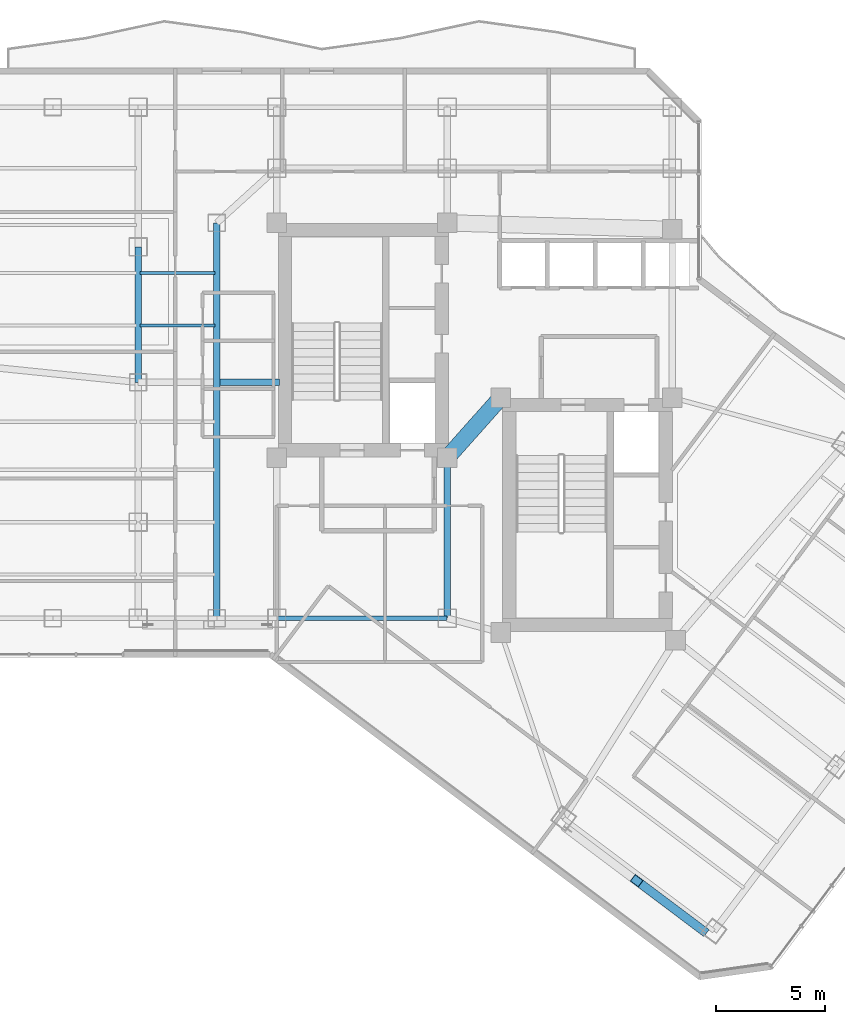
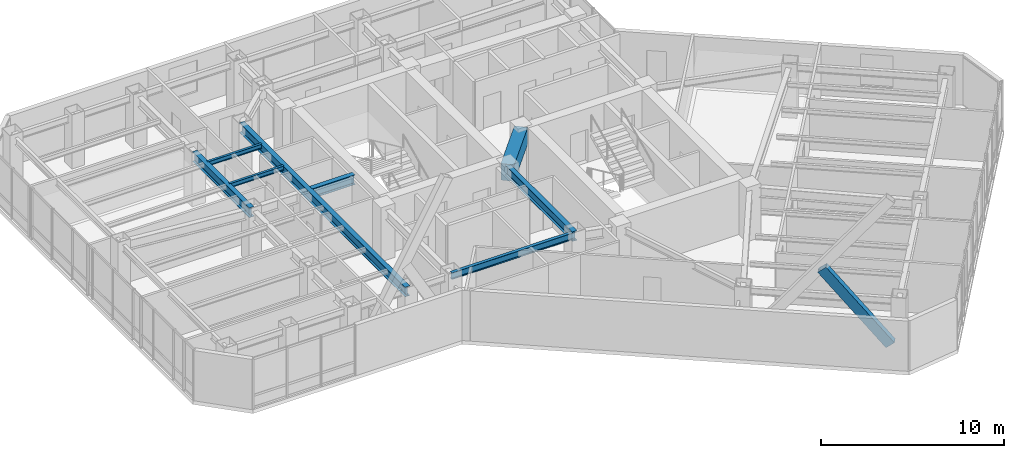
# One storey, part 9 of 27: 8 beams, 1 member.
"""IFC4 building model written with IfcOpenShell, lengths in metres."""

from ifc_helpers import new_model, si_unit, direction, frame, origin, origin_2d, place, context, subcontext, project, spatial, rectangle, hollow_rectangle, i_section, extrude, material, material_profile, profile_set, type_object, element, save


model = new_model("IFC4")

# Units and contexts
model_context = context("Model", 3, precision=1e-05, world=origin(), true_north=direction((0.0, 1.0)))
body_context = subcontext(model_context, "Body", "Model", "MODEL_VIEW")
ifc_project = project(units=[si_unit("LENGTHUNIT", "METRE"), si_unit("AREAUNIT", "SQUARE_METRE"), si_unit("VOLUMEUNIT", "CUBIC_METRE"), si_unit("PLANEANGLEUNIT", "RADIAN"), si_unit("MASSUNIT", "GRAM", prefix="KILO")], contexts=[model_context])

# Site, building, storey
site_placement = place(None, origin())
site = spatial("IfcSite", under=ifc_project, at=site_placement, CompositionType="ELEMENT")
building_placement = place(site_placement, origin())
building = spatial("IfcBuilding", under=site, at=building_placement, Name="Hatsunagi Terrace Concourse", CompositionType="ELEMENT")
storey_placement = place(building_placement, frame((0.0, 0.0, 145.64990234375)))
storey = spatial("IfcBuildingStorey", under=building, at=storey_placement, Name="L38", CompositionType="ELEMENT", Elevation=145.64990234375)

# Beams
ifc_material_1 = material(Name="Concrete Fc48", Category="concrete")
ifc_material_profile_1 = material_profile(ifc_material_1, rectangle(XDim=0.75, YDim=1.10009765625, at=origin_2d()), Name="RC-750x1100")
ifc_profile_set_1 = profile_set([ifc_material_profile_1], Name="Concrete Fc48")
beam_type_1 = type_object("IfcBeamType", Name="CoreCouplingBeam_RC_750x1100", PredefinedType="BEAM", material=ifc_profile_set_1)
beam_1_placement = place(storey_placement, frame((33.35009765625, 32.550048828125, 2.800048828125), z_axis=(0.665198651008, 0.746666427997, 0.0), x_axis=(-0.746666427997, 0.665198651008, 0.0)))
element("IfcBeam", 1, at=beam_1_placement, inside=storey, type_object=beam_type_1, Name="Beam CB-02 CB-L38-1", PredefinedType="BEAM", context=body_context, shape_type="SweptSolid", body=[
    extrude(rectangle(XDim=0.75, YDim=1.10009765625, at=origin_2d()), origin(), (0.0, 0.0, 1.0), 3.68310546875),
])
ifc_material_2 = material(Name="Steel SN490B", Category="steel")
ifc_material_profile_2 = material_profile(ifc_material_2, i_section(OverallWidth=0.14990234375, OverallDepth=0.300048828125, WebThickness=0.006591796875, FlangeThickness=0.009033203125, FilletRadius=0.010986328125, at=origin_2d()), Name="H-300x150x6.5x9")
ifc_profile_set_2 = profile_set([ifc_material_profile_2], Name="Steel SN490B")
beam_type_2 = type_object("IfcBeamType", Name="OfficeJoist_H_300x150", PredefinedType="JOIST", material=ifc_profile_set_2)
for number, where, z_axis, x_axis, name in (
    (2, (19.284912109375, 38.60009765625, 3.2001953125), (1.0, 0.0, 0.0), (0.0, 1.0, 0.0), "Beam J-03 J-L38-W-19-386"),
    (3, (19.284912109375, 41.0, 3.2001953125), (1.0, 0.0, 0.0), (0.0, 1.0, 0.0), "Beam J-03 J-L38-W-19-410"),
):
    element("IfcBeam", number, at=place(storey_placement, frame(where, z_axis=z_axis, x_axis=x_axis)), inside=storey, type_object=beam_type_2, Name=name, PredefinedType="JOIST", context=body_context, shape_type="SweptSolid", body=[
        extrude(i_section(OverallWidth=0.14990234375, OverallDepth=0.300048828125, WebThickness=0.006591796875, FlangeThickness=0.009033203125, FilletRadius=0.010986328125, at=origin_2d()), origin(), (0.0, 0.0, 1.0), 3.43017578125),
    ])
ifc_material_3 = material(Name="Steel SN490B", Category="steel")
ifc_material_profile_3 = material_profile(ifc_material_3, i_section(OverallWidth=0.300048828125, OverallDepth=0.64990234375, WebThickness=0.012939453125, FlangeThickness=0.02197265625, FilletRadius=0.01806640625, at=origin_2d()), Name="H-650x300x13x22")
ifc_profile_set_3 = profile_set([ifc_material_profile_3], Name="Steel SN490B")
beam_type_3 = type_object("IfcBeamType", Name="OfficeLowGirder_H_650x300", PredefinedType="BEAM", material=ifc_profile_set_3)
beam_2_placement = place(storey_placement, frame((33.35009765625, 25.199951171875, 3.025146484375), z_axis=(0.0, 1.0, 0.0), x_axis=(-1.0, 0.0, 0.0)))
element("IfcBeam", 4, at=beam_2_placement, inside=storey, type_object=beam_type_3, Name="Beam G-05 BM-L38-K2CA", PredefinedType="BEAM", context=body_context, shape_type="SweptSolid", body=[
    extrude(i_section(OverallWidth=0.300048828125, OverallDepth=0.64990234375, WebThickness=0.012939453125, FlangeThickness=0.02197265625, FilletRadius=0.01806640625, at=origin_2d()), origin(), (0.0, 0.0, 1.0), 7.35009765625),
])
beam_3_placement = place(storey_placement, frame((22.800048828125, 25.199951171875, 3.025146484375), z_axis=(0.0, 1.0, 0.0), x_axis=(-1.0, 0.0, 0.0)))
element("IfcBeam", 5, at=beam_3_placement, inside=storey, type_object=beam_type_3, Name="Beam G-05 BM-L38-CWNS", PredefinedType="BEAM", context=body_context, shape_type="SweptSolid", body=[
    extrude(i_section(OverallWidth=0.300048828125, OverallDepth=0.64990234375, WebThickness=0.012939453125, FlangeThickness=0.02197265625, FilletRadius=0.01806640625, at=origin_2d()), origin(), (0.0, 0.0, 1.0), 18.10009765625),
])
beam_4_placement = place(storey_placement, frame((19.199951171875, 36.0, 3.025146484375), z_axis=(0.0, 1.0, 0.0), x_axis=(-1.0, 0.0, 0.0)))
element("IfcBeam", 6, at=beam_4_placement, inside=storey, type_object=beam_type_3, Name="Beam G-05 BM-L38-NS-19-36", PredefinedType="BEAM", context=body_context, shape_type="SweptSolid", body=[
    extrude(i_section(OverallWidth=0.300048828125, OverallDepth=0.64990234375, WebThickness=0.012939453125, FlangeThickness=0.02197265625, FilletRadius=0.01806640625, at=origin_2d()), origin(), (0.0, 0.0, 1.0), 6.199951171875),
])
beam_5_placement = place(storey_placement, frame((22.949951171875, 36.0, 3.025146484375), z_axis=(1.0, 0.0, 0.0), x_axis=(0.0, 1.0, 0.0)))
element("IfcBeam", 7, at=beam_5_placement, inside=storey, type_object=beam_type_3, Name="Beam G-05 BM-L38-EW-4", PredefinedType="BEAM", context=body_context, shape_type="SweptSolid", body=[
    extrude(i_section(OverallWidth=0.300048828125, OverallDepth=0.64990234375, WebThickness=0.012939453125, FlangeThickness=0.02197265625, FilletRadius=0.01806640625, at=origin_2d()), origin(), (0.0, 0.0, 1.0), 2.7099609375),
])
ifc_material_4 = material(Name="Steel SN490B", Category="steel")
ifc_material_profile_4 = material_profile(ifc_material_4, i_section(OverallWidth=0.199951171875, OverallDepth=0.449951171875, WebThickness=0.009033203125, FlangeThickness=0.013916015625, FilletRadius=0.01611328125, at=origin_2d()), Name="H-450x200x9x14")
ifc_profile_set_4 = profile_set([ifc_material_profile_4], Name="Steel SN490B")
beam_type_4 = type_object("IfcBeamType", Name="PerimeterSpandrel_H_450x200", PredefinedType="SPANDREL", material=ifc_profile_set_4)
beam_6_placement = place(storey_placement, frame((25.550048828125, 25.199951171875, 3.125), z_axis=(1.0, 0.0, 0.0), x_axis=(0.0, 1.0, 0.0)))
element("IfcBeam", 8, at=beam_6_placement, inside=storey, type_object=beam_type_4, Name="Beam SP-02 BM-L38-WS-25", PredefinedType="SPANDREL", context=body_context, shape_type="SweptSolid", body=[
    extrude(i_section(OverallWidth=0.199951171875, OverallDepth=0.449951171875, WebThickness=0.009033203125, FlangeThickness=0.013916015625, FilletRadius=0.01611328125, at=origin_2d()), origin(), (0.0, 0.0, 1.0), 7.800048828125),
])

# Member
ifc_material_5 = material(Name="Steel SN490B", Category="steel")
ifc_material_profile_5 = material_profile(ifc_material_5, hollow_rectangle(XDim=0.39990234375, YDim=0.60009765625, WallThickness=0.02490234375, at=origin_2d()), Name="RHS-600x400x25")
ifc_profile_set_5 = profile_set([ifc_material_profile_5], Name="Steel SN490B")
member_type = type_object("IfcMemberType", Name="PerimeterXBrace_Mid_RHS_600x400x25", PredefinedType="BRACE", material=ifc_profile_set_5)
member_placement = place(storey_placement, frame((42.02197265625, 13.18408203125, 5.1650390625), z_axis=(0.498334927898, -0.37384214033, -0.782243155131), x_axis=(0.600093425958, 0.799929922007, 0.0)))
element("IfcMember", 9, at=member_placement, inside=storey, type_object=member_type, Name="Perimeter X-Brace Split Lower XB-02 XB-L38-SEB2", PredefinedType="BRACE", context=body_context, shape_type="SweptSolid", body=[
    extrude(hollow_rectangle(XDim=0.39990234375, YDim=0.60009765625, WallThickness=0.02490234375, at=origin_2d()), origin(), (0.0, 0.0, 1.0), 6.0400390625),
])

save(model, "model.ifc")
